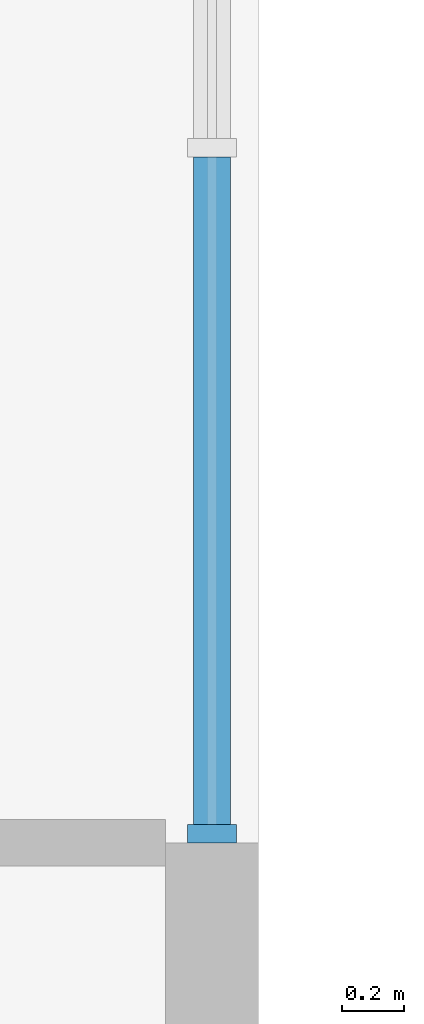
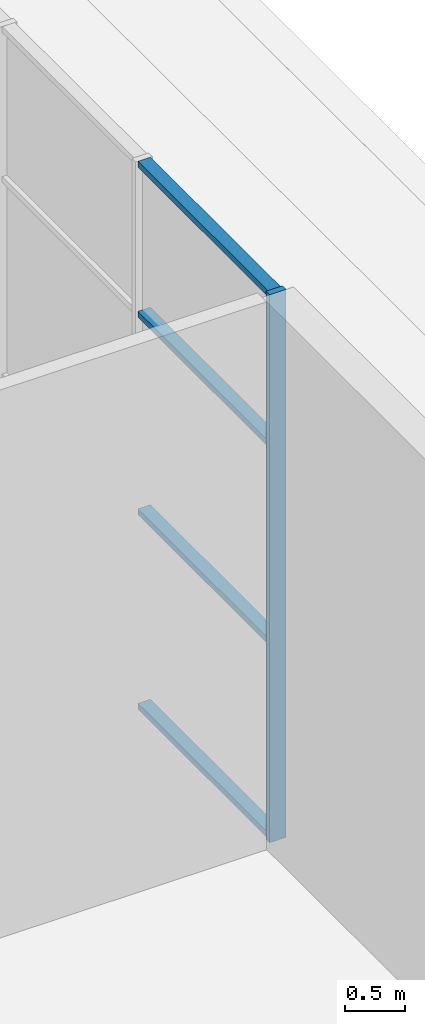
# One storey, part 32 of 71: 5 members, 1 element without a shape of its own.
"""IFC4 building model written with IfcOpenShell, lengths in metres."""

from ifc_helpers import new_model, si_unit, direction, frame, origin, origin_2d, place, context, subcontext, project, spatial, rectangle, extrude, material, layer, layer_set, material_profile, profile_set, type_object, element, aggregate, save


model = new_model("IFC4")

# Units and contexts
model_context = context("Model", 3, precision=1e-05, world=origin(), true_north=direction((0.0, 1.0)))
body_context = subcontext(model_context, "Body", "Model", "MODEL_VIEW")
ifc_project = project(units=[si_unit("LENGTHUNIT", "METRE"), si_unit("AREAUNIT", "SQUARE_METRE"), si_unit("VOLUMEUNIT", "CUBIC_METRE"), si_unit("PLANEANGLEUNIT", "RADIAN"), si_unit("MASSUNIT", "GRAM", prefix="KILO")], contexts=[model_context])

# Site, building, storey
site_placement = place(None, origin())
site = spatial("IfcSite", under=ifc_project, at=site_placement, CompositionType="ELEMENT")
building_placement = place(site_placement, origin())
building = spatial("IfcBuilding", under=site, at=building_placement, Name="Basin Gate Institute", CompositionType="ELEMENT")
storey_placement = place(building_placement, origin())
storey = spatial("IfcBuildingStorey", under=building, at=storey_placement, Name="L00", CompositionType="ELEMENT", Elevation=0.0)

# Curtain wall, members
ifc_material_1 = material(Name="Aluminium and glass curtain wall", Category="aluminium")
ifc_layer = layer(ifc_material_1, 0.14990234375)
ifc_layer_set = layer_set([ifc_layer], Name="Atrium curtain wall CW81")
curtain_wall_type = type_object("IfcCurtainWallType", Name="Atrium curtain wall CW81", PredefinedType="NOTDEFINED", material=ifc_layer_set)
curtain_wall_placement = place(storey_placement, origin())
curtain_wall = element("IfcCurtainWall", 1, at=curtain_wall_placement, inside=storey, type_object=curtain_wall_type, material=ifc_layer_set, Name="Clean block viewing gallery glazing", PredefinedType="NOTDEFINED")
ifc_material_2 = material(Name="Aluminium mullion", Category="aluminium")
ifc_material_profile_1 = material_profile(ifc_material_2, rectangle(XDim=0.159912109375, YDim=0.06005859375, at=origin_2d()), Name="Atrium mullion MU81 160 x 60")
ifc_profile_set_1 = profile_set([ifc_material_profile_1], Name="Aluminium mullion")
member_type_1 = type_object("IfcMemberType", Name="Atrium mullion MU81", PredefinedType="MULLION", material=ifc_profile_set_1)
member_1_placement = place(storey_placement, frame((151.050048828125, 82.530029296875, 0.0), z_axis=(0.0, 0.0, 1.0), x_axis=(-1.0, 0.0, 0.0)))
member_1 = element("IfcMember", 2, at=member_1_placement, type_object=member_type_1, material=ifc_profile_set_1, Name="CW81 mullion 1", PredefinedType="MULLION", context=body_context, shape_type="SweptSolid", body=[
    extrude(rectangle(XDim=0.159912109375, YDim=0.06005859375, at=origin_2d()), origin(), (0.0, 0.0, 1.0), 5.550048828125),
])
ifc_material_3 = material(Name="Aluminium transom", Category="aluminium")
ifc_material_profile_2 = material_profile(ifc_material_3, rectangle(XDim=0.1201171875, YDim=0.06005859375, at=origin_2d()), Name="Atrium transom TR81 120 x 60")
ifc_profile_set_2 = profile_set([ifc_material_profile_2], Name="Aluminium transom")
member_type_2 = type_object("IfcMemberType", Name="Atrium transom TR81", PredefinedType="USERDEFINED", material=ifc_profile_set_2)
member_2_placement = place(storey_placement, frame((151.050048828125, 82.56005859375, 0.030029296875), z_axis=(0.0, 1.0, 0.0), x_axis=(-1.0, 0.0, 0.0)))
member_2 = element("IfcMember", 3, at=member_2_placement, type_object=member_type_2, material=ifc_profile_set_2, Name="CW81 transom 1.1", ObjectType="TRANSOM", PredefinedType="USERDEFINED", context=body_context, shape_type="SweptSolid", body=[
    extrude(rectangle(XDim=0.1201171875, YDim=0.06005859375, at=origin_2d()), origin(), (0.0, 0.0, 1.0), 2.159912109375),
])
member_3_placement = place(storey_placement, frame((151.050048828125, 82.56005859375, 2.0), z_axis=(0.0, 1.0, 0.0), x_axis=(-1.0, 0.0, 0.0)))
member_3 = element("IfcMember", 4, at=member_3_placement, type_object=member_type_2, material=ifc_profile_set_2, Name="CW81 transom 1.2", ObjectType="TRANSOM", PredefinedType="USERDEFINED", context=body_context, shape_type="SweptSolid", body=[
    extrude(rectangle(XDim=0.1201171875, YDim=0.06005859375, at=origin_2d()), origin(), (0.0, 0.0, 1.0), 2.159912109375),
])
member_4_placement = place(storey_placement, frame((151.050048828125, 82.56005859375, 4.0), z_axis=(0.0, 1.0, 0.0), x_axis=(-1.0, 0.0, 0.0)))
member_4 = element("IfcMember", 5, at=member_4_placement, type_object=member_type_2, material=ifc_profile_set_2, Name="CW81 transom 1.3", ObjectType="TRANSOM", PredefinedType="USERDEFINED", context=body_context, shape_type="SweptSolid", body=[
    extrude(rectangle(XDim=0.1201171875, YDim=0.06005859375, at=origin_2d()), origin(), (0.0, 0.0, 1.0), 2.159912109375),
])
member_5_placement = place(storey_placement, frame((151.050048828125, 82.56005859375, 5.52001953125), z_axis=(0.0, 1.0, 0.0), x_axis=(-1.0, 0.0, 0.0)))
member_5 = element("IfcMember", 6, at=member_5_placement, type_object=member_type_2, material=ifc_profile_set_2, Name="CW81 transom 1.4", ObjectType="TRANSOM", PredefinedType="USERDEFINED", context=body_context, shape_type="SweptSolid", body=[
    extrude(rectangle(XDim=0.1201171875, YDim=0.06005859375, at=origin_2d()), origin(), (0.0, 0.0, 1.0), 2.159912109375),
])
aggregate(curtain_wall, [member_1, member_2, member_3, member_4, member_5])

save(model, "model.ifc")
